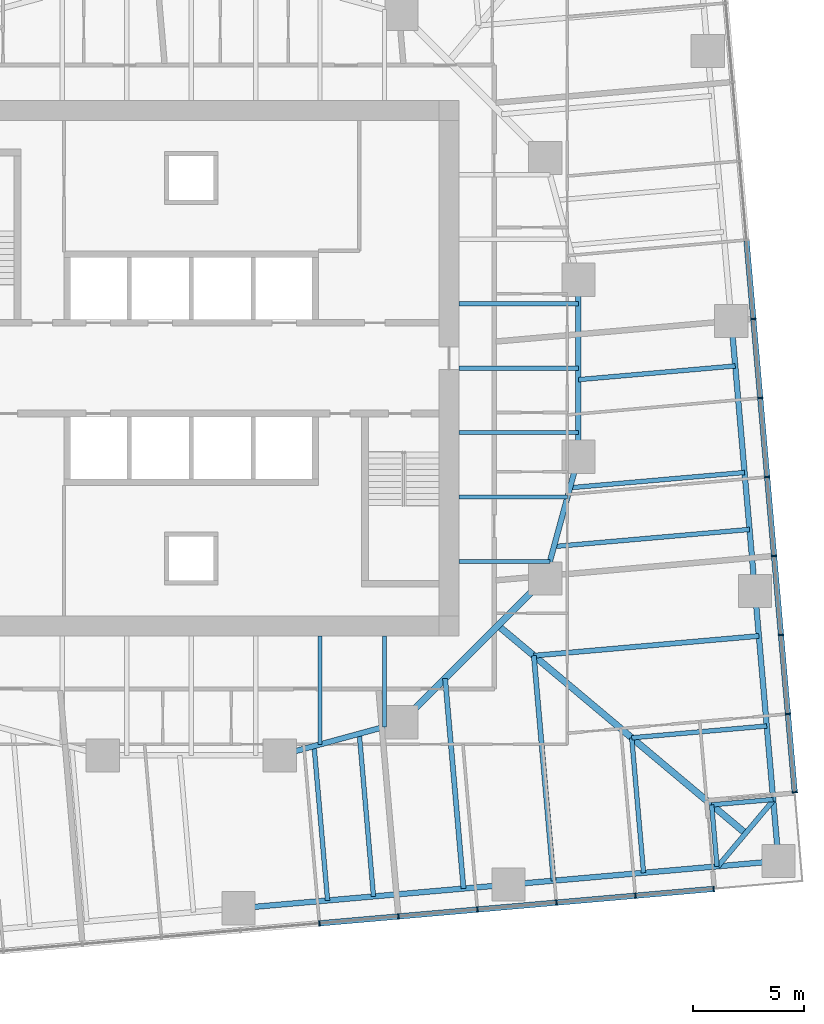
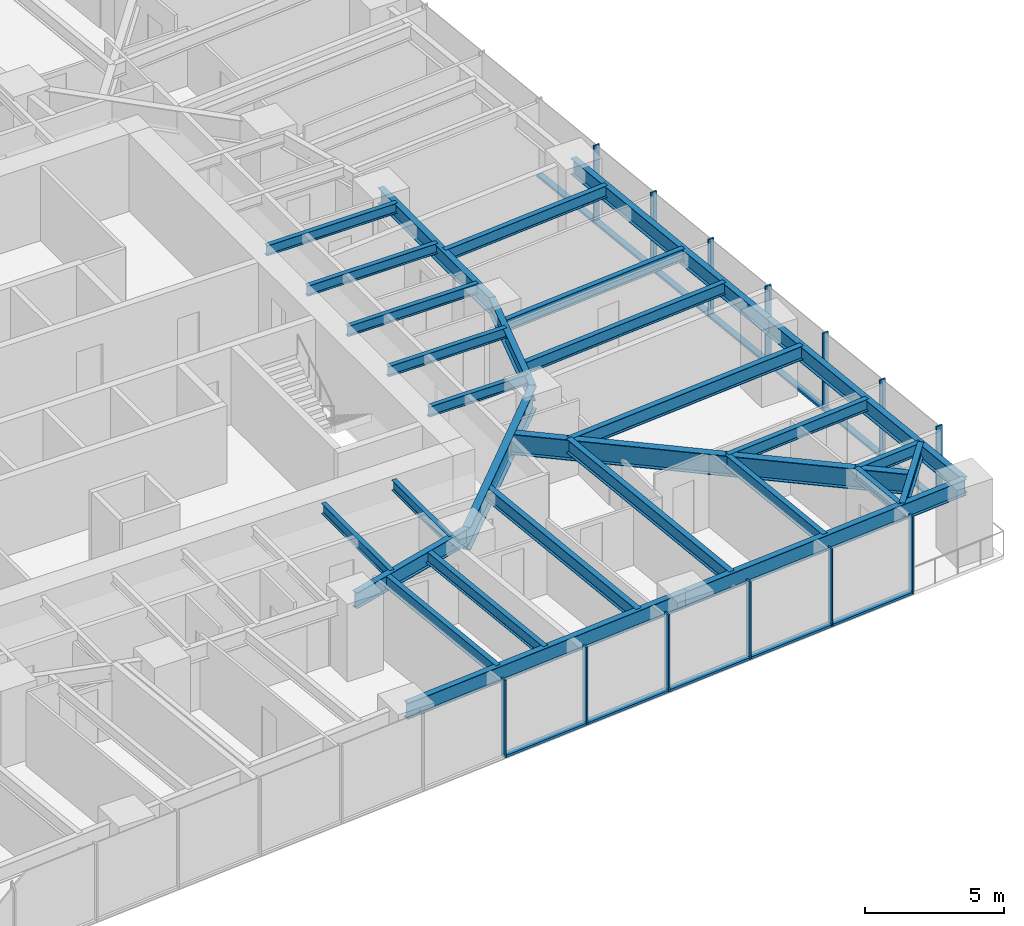
# One storey, part 4 of 14: 29 beams, 25 members, 2 elements without a shape of their own.
"""IFC4 building model written with IfcOpenShell, lengths in metres."""

import ifcopenshell
import ifcopenshell.guid

model = None  # the IFC model being written
_history = None  # IfcOwnerHistory: only IFC2X3 demands one
_inside = {}  # id of a spatial element -> (the spatial element, [elements in it])
_under = {}  # id of a project, library or spatial element -> (it, [spatial elements below it])
_declared = {}  # id of a project -> (the project, [libraries it declares])
_typed = {}  # id of a type object -> (the type object, [elements of that type])
_made_of = {}  # id of a material, layer set ... -> (it, [elements and type objects made of it])


def new_model(schema):
    """Start an empty IFC model of exactly this schema.

    Asked for "IFC4X3", IfcOpenShell would pick the latest addendum, in which some entities
    have other attributes; the version numbers below select the first issue.
    IFC2X3 requires an IfcOwnerHistory on every rooted entity: one is made here for all.
    """
    global model, _history
    if schema == "IFC4X3":
        model = ifcopenshell.file(schema_version=(4, 3, 0, 0))
    else:
        model = ifcopenshell.file(schema=schema)
    _inside.clear()
    _under.clear()
    _declared.clear()
    _typed.clear()
    _made_of.clear()
    _history = None
    if model.schema == "IFC2X3":
        org = make("IfcOrganization", Name="unknown")
        user = make(
            "IfcPersonAndOrganization",
            ThePerson=make("IfcPerson", FamilyName="unknown"),
            TheOrganization=org,
        )
        app = make(
            "IfcApplication",
            ApplicationDeveloper=org,
            Version="unknown",
            ApplicationFullName="unknown",
            ApplicationIdentifier="unknown",
        )
        _history = make(
            "IfcOwnerHistory",
            OwningUser=user,
            OwningApplication=app,
            ChangeAction="ADDED",
            CreationDate=0,
        )
    return model


def make(cls, **values):
    """One entity of the class cls with the attributes given. An attribute that is None is left unset."""
    return model.create_entity(
        cls, **{name: value for name, value in values.items() if value is not None}
    )


def rooted(cls, **values):
    """An entity with a GlobalId (a new one), such as an element, a storey or a relation."""
    return make(cls, GlobalId=ifcopenshell.guid.new(), OwnerHistory=_history, **values)


def si_unit(unit_type, name, prefix=None):
    """IfcSIUnit, for example si_unit("LENGTHUNIT", "METRE", prefix="MILLI")."""
    return make("IfcSIUnit", UnitType=unit_type, Prefix=prefix, Name=name)


def assignment(units):
    """IfcUnitAssignment: the units of a project."""
    return None if units is None else make("IfcUnitAssignment", Units=units)


def point(xyz):
    """IfcCartesianPoint."""
    return None if xyz is None else make("IfcCartesianPoint", Coordinates=xyz)


def direction(xyz):
    """IfcDirection."""
    return None if xyz is None else make("IfcDirection", DirectionRatios=xyz)


def frame(location, z_axis=None, x_axis=None):
    """IfcAxis2Placement3D, a coordinate frame: its origin and axes. An axis left out is left unset."""
    return make(
        "IfcAxis2Placement3D",
        Location=point(location),
        Axis=direction(z_axis),
        RefDirection=direction(x_axis),
    )


def frame_2d(location, x_axis=None):
    """IfcAxis2Placement2D, a coordinate frame in the plane: its origin and x axis."""
    return make(
        "IfcAxis2Placement2D", Location=point(location), RefDirection=direction(x_axis)
    )


def origin():
    """The frame at (0, 0, 0) with its axes left unset."""
    return frame((0.0, 0.0, 0.0))


def origin_2d():
    """The frame at (0, 0) in the plane with its x axis left unset."""
    return frame_2d((0.0, 0.0))


def place(relative_to, where):
    """IfcLocalPlacement: puts the frame where relative to a parent placement (None: the world)."""
    return make(
        "IfcLocalPlacement", PlacementRelTo=relative_to, RelativePlacement=where
    )


def context(
    kind, dimensions, precision=None, world=None, true_north=None, identifier=None
):
    """IfcGeometricRepresentationContext, for example the 3D "Model" context."""
    return make(
        "IfcGeometricRepresentationContext",
        ContextIdentifier=identifier,
        ContextType=kind,
        CoordinateSpaceDimension=dimensions,
        Precision=precision,
        WorldCoordinateSystem=world,
        TrueNorth=true_north,
    )


def subcontext(parent, identifier, kind, view, scale=None):
    """IfcGeometricRepresentationSubContext, for example "Body" below "Model"."""
    return make(
        "IfcGeometricRepresentationSubContext",
        ContextIdentifier=identifier,
        ContextType=kind,
        ParentContext=parent,
        TargetScale=scale,
        TargetView=view,
    )


def project(units=None, contexts=None):
    """IfcProject with its units and contexts."""
    return rooted(
        "IfcProject",
        Name="project",
        RepresentationContexts=contexts,
        UnitsInContext=assignment(units),
    )


def spatial(cls, under=None, at=None, **own):
    """A site, building, storey or space (cls), placed at a placement, below another one or the project."""
    s = rooted(cls, ObjectPlacement=at, **own)
    if under is not None:
        _under.setdefault(under.id(), (under, []))[1].append(s)
    return s


def profile(cls, at=None, kind="AREA", **sizes):
    """A parametric profile (cls). Its sizes go by their IFC names, for example OverallWidth=200.0."""
    return make(cls, ProfileType=kind, Position=at, **sizes)


def rectangle(**sizes):
    """IfcRectangleProfileDef."""
    return profile("IfcRectangleProfileDef", **sizes)


def i_section(**sizes):
    """IfcIShapeProfileDef."""
    return profile("IfcIShapeProfileDef", **sizes)


def extrude(swept, where, along, depth):
    """IfcExtrudedAreaSolid: the profile swept, set in the frame where, extruded along a direction by depth."""
    return make(
        "IfcExtrudedAreaSolid",
        SweptArea=swept,
        Position=where,
        ExtrudedDirection=direction(along),
        Depth=depth,
    )


def shape(context_of_items, identifier, shape_type, items):
    """IfcShapeRepresentation: the items that make up one representation, for example the "Body"."""
    return make(
        "IfcShapeRepresentation",
        ContextOfItems=context_of_items,
        RepresentationIdentifier=identifier,
        RepresentationType=shape_type,
        Items=items,
    )


def material(Name=None, Category=None):
    """IfcMaterial."""
    return make("IfcMaterial", Name=Name, Category=Category)


def material_profile(
    of_material, cross_section, Name=None, Category=None, Priority=None
):
    """IfcMaterialProfile: a cross section and its material."""
    return make(
        "IfcMaterialProfile",
        Name=Name,
        Material=of_material,
        Profile=cross_section,
        Priority=Priority,
        Category=Category,
    )


def profile_set(profiles, Name=None, composite=None):
    """IfcMaterialProfileSet."""
    return make(
        "IfcMaterialProfileSet",
        Name=Name,
        MaterialProfiles=profiles,
        CompositeProfile=composite,
    )


def made_of(thing, what):
    """Note that an element or type object is made of a material, layer set ...; save() writes the relation."""
    if what is not None:
        _made_of.setdefault(what.id(), (what, []))[1].append(thing)
    return thing


def type_object(cls, material=None, **own):
    """A type object (cls), such as IfcWallType, which elements share."""
    return made_of(rooted(cls, **own), material)


def element(
    cls,
    number,
    at=None,
    inside=None,
    cuts=None,
    type_object=None,
    material=None,
    context=None,
    identifier="Body",
    shape_type=None,
    held_by="IfcProductDefinitionShape",
    body=None,
    shapes=None,
    **own,
):
    """One element of the class cls, such as IfcWall. Its Tag is "e" and its number.

    at: its placement. inside: the storey or other place that contains it. cuts: it is an
    opening in that element (IfcRelVoidsElement). A single representation is given by context,
    identifier, shape_type and body (its items); several are given by shapes. held_by: the class
    of the entity that holds the representations. save() writes the other relations.
    """
    e = rooted(cls, Tag="e%d" % number, ObjectPlacement=at, **own)
    if body is not None:
        shapes = [shape(context, identifier, shape_type, body)]
    if shapes is not None:
        e.Representation = make(held_by, Representations=shapes)
    if inside is not None:
        _inside.setdefault(inside.id(), (inside, []))[1].append(e)
    if cuts is not None:
        rooted(
            "IfcRelVoidsElement", RelatingBuildingElement=cuts, RelatedOpeningElement=e
        )
    if type_object is not None:
        _typed.setdefault(type_object.id(), (type_object, []))[1].append(e)
    return made_of(e, material)


def aggregate(whole, parts):
    """IfcRelAggregates: a whole, such as a stair, and the parts it consists of."""
    return rooted("IfcRelAggregates", RelatingObject=whole, RelatedObjects=parts)


def save(model, path):
    """Write the relations noted so far, then the file.

    IfcRelAggregates (storeys below a building ...), IfcRelContainedInSpatialStructure (elements
    in a storey), IfcRelDefinesByType, IfcRelAssociatesMaterial and IfcRelDeclares: one each for
    every whole, place, type object, material and project.
    """
    for whole, parts in _under.values():
        aggregate(whole, parts)
    for where, things in _inside.values():
        rooted(
            "IfcRelContainedInSpatialStructure",
            RelatedElements=things,
            RelatingStructure=where,
        )
    for kind, things in _typed.values():
        rooted("IfcRelDefinesByType", RelatedObjects=things, RelatingType=kind)
    for what, things in _made_of.values():
        rooted("IfcRelAssociatesMaterial", RelatedObjects=things, RelatingMaterial=what)
    for by, libraries in _declared.values():
        rooted("IfcRelDeclares", RelatingContext=by, RelatedDefinitions=libraries)
    model.write(path)


model = new_model("IFC4")

# Units and contexts
model_context = context("Model", 3, precision=1e-05, world=origin(), true_north=direction((0.0, 1.0)))
body_context = subcontext(model_context, "Body", "Model", "MODEL_VIEW")
ifc_project = project(units=[si_unit("LENGTHUNIT", "METRE"), si_unit("AREAUNIT", "SQUARE_METRE"), si_unit("VOLUMEUNIT", "CUBIC_METRE"), si_unit("PLANEANGLEUNIT", "RADIAN"), si_unit("MASSUNIT", "GRAM", prefix="KILO")], contexts=[model_context])

# Site, building, storey
site_placement = place(None, origin())
site = spatial("IfcSite", under=ifc_project, at=site_placement, CompositionType="ELEMENT")
building_placement = place(site_placement, origin())
building = spatial("IfcBuilding", under=site, at=building_placement, Name="Torsade Residences", CompositionType="ELEMENT")
storey_placement = place(building_placement, frame((0.0, 0.0, 50.60009765625)))
storey = spatial("IfcBuildingStorey", under=building, at=storey_placement, Name="L13", CompositionType="ELEMENT", Elevation=50.60009765625)

# Beams
ifc_material_1 = material(Name="Steel grade 300", Category="steel")
ifc_material_profile_1 = material_profile(ifc_material_1, i_section(OverallWidth=0.300048828125, OverallDepth=0.89990234375, WebThickness=0.011962890625, FlangeThickness=0.02490234375, at=origin_2d()), Name="900WB175")
ifc_profile_set_1 = profile_set([ifc_material_profile_1], Name="Steel grade 300")
beam_type_1 = type_object("IfcBeamType", Name="CORNER GIRDER 900WB175", PredefinedType="BEAM", material=ifc_profile_set_1)
beam_1_placement = place(storey_placement, frame((65.052490234375, 8.978515625, 2.7998046875), z_axis=(-0.766046281307, 0.642785419012, 0.0), x_axis=(-0.642785419012, -0.766046281307, 0.0)))
element("IfcBeam", 1, at=beam_1_placement, inside=storey, type_object=beam_type_1, Name="Corner girder 05 L14", PredefinedType="BEAM", context=body_context, shape_type="SweptSolid", body=[
    extrude(i_section(OverallWidth=0.300048828125, OverallDepth=0.89990234375, WebThickness=0.011962890625, FlangeThickness=0.02490234375, at=origin_2d()), origin(), (0.0, 0.0, 1.0), 14.603515625),
])
ifc_material_2 = material(Name="Steel grade 300", Category="steel")
ifc_material_profile_2 = material_profile(ifc_material_2, i_section(OverallWidth=0.22802734375, OverallDepth=0.60205078125, WebThickness=0.010498046875, FlangeThickness=0.014892578125, FilletRadius=0.013916015625, at=origin_2d()), Name="610UB101")
ifc_profile_set_2 = profile_set([ifc_material_profile_2], Name="Steel grade 300")
beam_type_2 = type_object("IfcBeamType", Name="CORNER TRIMMER 610UB101", PredefinedType="BEAM", material=ifc_profile_set_2)
beam_2_placement = place(storey_placement, frame((66.302490234375, 10.468017578125, 2.948974609375), z_axis=(-0.642804819911, -0.766030001697, 0.0), x_axis=(0.766030001697, -0.642804819911, 0.0)))
element("IfcBeam", 2, at=beam_2_placement, inside=storey, type_object=beam_type_2, Name="Corner trimmer 05 L14", PredefinedType="BEAM", context=body_context, shape_type="SweptSolid", body=[
    extrude(i_section(OverallWidth=0.22802734375, OverallDepth=0.60205078125, WebThickness=0.010498046875, FlangeThickness=0.014892578125, FilletRadius=0.013916015625, at=origin_2d()), origin(), (0.0, 0.0, 1.0), 3.88916015625),
])

# Curtain wall, members
ifc_material_3 = material(Name="Aluminium and glass", Category="aluminium")
curtain_wall_type = type_object("IfcCurtainWallType", Name="FRITTED GLASS CURTAIN WALL LOW ZONE", PredefinedType="NOTDEFINED", material=ifc_material_3)
curtain_wall_1_placement = place(storey_placement, origin())
curtain_wall_1 = element("IfcCurtainWall", 3, at=curtain_wall_1_placement, inside=storey, type_object=curtain_wall_type, Name="Curtain wall L13 face 1", PredefinedType="NOTDEFINED")
ifc_material_4 = material(Name="Aluminium mullion", Category="aluminium")
ifc_material_profile_3 = material_profile(ifc_material_4, rectangle(XDim=0.25, YDim=0.06494140625, at=origin_2d()), Name="CURTAIN WALL MULLION 250x65")
ifc_profile_set_3 = profile_set([ifc_material_profile_3], Name="Aluminium mullion")
member_type_1 = type_object("IfcMemberType", Name="CURTAIN WALL MULLION 250x65", PredefinedType="MULLION", material=ifc_profile_set_3)
member_1_placement = place(storey_placement, frame((45.792236328125, 4.909423828125, 0.0), z_axis=(0.0, 0.0, 1.0), x_axis=(-0.087155744208, 0.996194697964, 0.0)))
member_1 = element("IfcMember", 4, at=member_1_placement, type_object=member_type_1, Name="Mullion 8", PredefinedType="MULLION", context=body_context, shape_type="SweptSolid", body=[
    extrude(rectangle(XDim=0.25, YDim=0.06494140625, at=origin_2d()), origin(), (0.0, 0.0, 1.0), 3.39990234375),
])
member_2_placement = place(storey_placement, frame((49.36181640625, 5.2216796875, 0.0), z_axis=(0.0, 0.0, 1.0), x_axis=(-0.087155744208, 0.996194697964, 0.0)))
member_2 = element("IfcMember", 5, at=member_2_placement, type_object=member_type_1, Name="Mullion 9", PredefinedType="MULLION", context=body_context, shape_type="SweptSolid", body=[
    extrude(rectangle(XDim=0.25, YDim=0.06494140625, at=origin_2d()), origin(), (0.0, 0.0, 1.0), 3.39990234375),
])
member_3_placement = place(storey_placement, frame((52.931640625, 5.533935546875, 0.0), z_axis=(0.0, 0.0, 1.0), x_axis=(-0.087155744208, 0.996194697964, 0.0)))
member_3 = element("IfcMember", 6, at=member_3_placement, type_object=member_type_1, Name="Mullion 10", PredefinedType="MULLION", context=body_context, shape_type="SweptSolid", body=[
    extrude(rectangle(XDim=0.25, YDim=0.06494140625, at=origin_2d()), origin(), (0.0, 0.0, 1.0), 3.39990234375),
])
member_4_placement = place(storey_placement, frame((56.501220703125, 5.84619140625, 0.0), z_axis=(0.0, 0.0, 1.0), x_axis=(-0.087155744208, 0.996194697964, 0.0)))
member_4 = element("IfcMember", 7, at=member_4_placement, type_object=member_type_1, Name="Mullion 11", PredefinedType="MULLION", context=body_context, shape_type="SweptSolid", body=[
    extrude(rectangle(XDim=0.25, YDim=0.06494140625, at=origin_2d()), origin(), (0.0, 0.0, 1.0), 3.39990234375),
])
member_5_placement = place(storey_placement, frame((60.071044921875, 6.15869140625, 0.0), z_axis=(0.0, 0.0, 1.0), x_axis=(-0.087155744208, 0.996194697964, 0.0)))
member_5 = element("IfcMember", 8, at=member_5_placement, type_object=member_type_1, Name="Mullion 12", PredefinedType="MULLION", context=body_context, shape_type="SweptSolid", body=[
    extrude(rectangle(XDim=0.25, YDim=0.06494140625, at=origin_2d()), origin(), (0.0, 0.0, 1.0), 3.39990234375),
])
member_6_placement = place(storey_placement, frame((63.6083984375, 6.468017578125, 0.0), z_axis=(0.0, 0.0, 1.0), x_axis=(-0.087155744208, 0.996194697964, 0.0)))
member_6 = element("IfcMember", 9, at=member_6_placement, type_object=member_type_1, Name="Mullion 13", PredefinedType="MULLION", context=body_context, shape_type="SweptSolid", body=[
    extrude(rectangle(XDim=0.25, YDim=0.06494140625, at=origin_2d()), origin(), (0.0, 0.0, 1.0), 3.39990234375),
])

curtain_wall_2_placement = place(storey_placement, origin())
curtain_wall_2 = element("IfcCurtainWall", 10, at=curtain_wall_2_placement, inside=storey, type_object=curtain_wall_type, Name="Curtain wall L13 face 4", PredefinedType="NOTDEFINED")
member_7_placement = place(storey_placement, frame((67.27392578125, 10.836669921875, 0.0), z_axis=(0.0, 0.0, 1.0), x_axis=(-0.996194697964, -0.087155744208, 0.0)))
member_7 = element("IfcMember", 11, at=member_7_placement, type_object=member_type_1, Name="Mullion 1", PredefinedType="MULLION", context=body_context, shape_type="SweptSolid", body=[
    extrude(rectangle(XDim=0.25, YDim=0.06494140625, at=origin_2d()), origin(), (0.0, 0.0, 1.0), 3.39990234375),
])
member_8_placement = place(storey_placement, frame((66.964599609375, 14.3740234375, 0.0), z_axis=(0.0, 0.0, 1.0), x_axis=(-0.996194697964, -0.087155744208, 0.0)))
member_8 = element("IfcMember", 12, at=member_8_placement, type_object=member_type_1, Name="Mullion 2", PredefinedType="MULLION", context=body_context, shape_type="SweptSolid", body=[
    extrude(rectangle(XDim=0.25, YDim=0.06494140625, at=origin_2d()), origin(), (0.0, 0.0, 1.0), 3.39990234375),
])
member_9_placement = place(storey_placement, frame((66.652099609375, 17.943603515625, 0.0), z_axis=(0.0, 0.0, 1.0), x_axis=(-0.996194697964, -0.087155744208, 0.0)))
member_9 = element("IfcMember", 13, at=member_9_placement, type_object=member_type_1, Name="Mullion 3", PredefinedType="MULLION", context=body_context, shape_type="SweptSolid", body=[
    extrude(rectangle(XDim=0.25, YDim=0.06494140625, at=origin_2d()), origin(), (0.0, 0.0, 1.0), 3.39990234375),
])
member_10_placement = place(storey_placement, frame((66.33984375, 21.513427734375, 0.0), z_axis=(0.0, 0.0, 1.0), x_axis=(-0.996194697964, -0.087155744208, 0.0)))
member_10 = element("IfcMember", 14, at=member_10_placement, type_object=member_type_1, Name="Mullion 4", PredefinedType="MULLION", context=body_context, shape_type="SweptSolid", body=[
    extrude(rectangle(XDim=0.25, YDim=0.06494140625, at=origin_2d()), origin(), (0.0, 0.0, 1.0), 3.39990234375),
])
member_11_placement = place(storey_placement, frame((66.027587890625, 25.0830078125, 0.0), z_axis=(0.0, 0.0, 1.0), x_axis=(-0.996194697964, -0.087155744208, 0.0)))
member_11 = element("IfcMember", 15, at=member_11_placement, type_object=member_type_1, Name="Mullion 5", PredefinedType="MULLION", context=body_context, shape_type="SweptSolid", body=[
    extrude(rectangle(XDim=0.25, YDim=0.06494140625, at=origin_2d()), origin(), (0.0, 0.0, 1.0), 3.39990234375),
])
member_12_placement = place(storey_placement, frame((65.71533203125, 28.65283203125, 0.0), z_axis=(0.0, 0.0, 1.0), x_axis=(-0.996194697964, -0.087155744208, 0.0)))
member_12 = element("IfcMember", 16, at=member_12_placement, type_object=member_type_1, Name="Mullion 6", PredefinedType="MULLION", context=body_context, shape_type="SweptSolid", body=[
    extrude(rectangle(XDim=0.25, YDim=0.06494140625, at=origin_2d()), origin(), (0.0, 0.0, 1.0), 3.39990234375),
])
member_13_placement = place(storey_placement, frame((65.403076171875, 32.222412109375, 0.0), z_axis=(0.0, 0.0, 1.0), x_axis=(-0.996194697964, -0.087155744208, 0.0)))
member_13 = element("IfcMember", 17, at=member_13_placement, type_object=member_type_1, Name="Mullion 7", PredefinedType="MULLION", context=body_context, shape_type="SweptSolid", body=[
    extrude(rectangle(XDim=0.25, YDim=0.06494140625, at=origin_2d()), origin(), (0.0, 0.0, 1.0), 3.39990234375),
])

# Member
ifc_material_5 = material(Name="Aluminium transom", Category="aluminium")
ifc_material_profile_4 = material_profile(ifc_material_5, rectangle(XDim=0.25, YDim=0.10009765625, at=origin_2d()), Name="CURTAIN WALL TRANSOM 250x100")
ifc_profile_set_4 = profile_set([ifc_material_profile_4], Name="Aluminium transom")
member_type_2 = type_object("IfcMemberType", Name="CURTAIN WALL TRANSOM 250x100", PredefinedType="USERDEFINED", material=ifc_profile_set_4)
member_14_placement = place(storey_placement, frame((45.824462890625, 4.912109375, 0.0498046875), z_axis=(0.996195148363, 0.08715059597, 0.0), x_axis=(-0.08715059597, 0.996195148363, 0.0)))
member_14 = element("IfcMember", 18, at=member_14_placement, type_object=member_type_2, Name="Transom 8.1", ObjectType="TRANSOM", PredefinedType="USERDEFINED", context=body_context, shape_type="SweptSolid", body=[
    extrude(rectangle(XDim=0.25, YDim=0.10009765625, at=origin_2d()), origin(), (0.0, 0.0, 1.0), 3.5185546875),
])

member_15_placement = place(storey_placement, frame((49.394287109375, 5.224365234375, 0.0498046875), z_axis=(0.996194621295, 0.087156620531, 0.0), x_axis=(-0.087156620531, 0.996194621295, 0.0)))
member_15 = element("IfcMember", 19, at=member_15_placement, type_object=member_type_2, Name="Transom 9.1", ObjectType="TRANSOM", PredefinedType="USERDEFINED", context=body_context, shape_type="SweptSolid", body=[
    extrude(rectangle(XDim=0.25, YDim=0.10009765625, at=origin_2d()), origin(), (0.0, 0.0, 1.0), 3.518310546875),
])

member_16_placement = place(storey_placement, frame((52.9638671875, 5.536865234375, 0.0498046875), z_axis=(0.996195148363, 0.08715059597, 0.0), x_axis=(-0.08715059597, 0.996195148363, 0.0)))
member_16 = element("IfcMember", 20, at=member_16_placement, type_object=member_type_2, Name="Transom 10.1", ObjectType="TRANSOM", PredefinedType="USERDEFINED", context=body_context, shape_type="SweptSolid", body=[
    extrude(rectangle(XDim=0.25, YDim=0.10009765625, at=origin_2d()), origin(), (0.0, 0.0, 1.0), 3.5185546875),
])

member_17_placement = place(storey_placement, frame((56.53369140625, 5.84912109375, 0.0498046875), z_axis=(0.996194621295, 0.087156620531, 0.0), x_axis=(-0.087156620531, 0.996194621295, 0.0)))
member_17 = element("IfcMember", 21, at=member_17_placement, type_object=member_type_2, Name="Transom 11.1", ObjectType="TRANSOM", PredefinedType="USERDEFINED", context=body_context, shape_type="SweptSolid", body=[
    extrude(rectangle(XDim=0.25, YDim=0.10009765625, at=origin_2d()), origin(), (0.0, 0.0, 1.0), 3.518310546875),
])

member_18_placement = place(storey_placement, frame((60.103271484375, 6.161376953125, 0.0498046875), z_axis=(0.996191284475, 0.08719475177, 0.0), x_axis=(-0.08719475177, 0.996191284475, 0.0)))
member_18 = element("IfcMember", 22, at=member_18_placement, type_object=member_type_2, Name="Transom 12.1", ObjectType="TRANSOM", PredefinedType="USERDEFINED", context=body_context, shape_type="SweptSolid", body=[
    extrude(rectangle(XDim=0.25, YDim=0.10009765625, at=origin_2d()), origin(), (0.0, 0.0, 1.0), 3.48583984375),
])

aggregate(curtain_wall_1, [member_1, member_2, member_3, member_4, member_5, member_6, member_14, member_15, member_16, member_17, member_18])

member_19_placement = place(storey_placement, frame((67.271240234375, 10.869140625, 0.0498046875), z_axis=(-0.0872008357, 0.996190751941, 0.0), x_axis=(-0.996190751941, -0.0872008357, 0.0)))
member_19 = element("IfcMember", 23, at=member_19_placement, type_object=member_type_2, Name="Transom 1.1", ObjectType="TRANSOM", PredefinedType="USERDEFINED", context=body_context, shape_type="SweptSolid", body=[
    extrude(rectangle(XDim=0.25, YDim=0.10009765625, at=origin_2d()), origin(), (0.0, 0.0, 1.0), 3.485595703125),
])

member_20_placement = place(storey_placement, frame((66.961669921875, 14.40625, 0.0498046875), z_axis=(-0.08715059597, 0.996195148363, 0.0), x_axis=(-0.996195148363, -0.08715059597, 0.0)))
member_20 = element("IfcMember", 24, at=member_20_placement, type_object=member_type_2, Name="Transom 2.1", ObjectType="TRANSOM", PredefinedType="USERDEFINED", context=body_context, shape_type="SweptSolid", body=[
    extrude(rectangle(XDim=0.25, YDim=0.10009765625, at=origin_2d()), origin(), (0.0, 0.0, 1.0), 3.5185546875),
])

member_21_placement = place(storey_placement, frame((66.6494140625, 17.97607421875, 0.0498046875), z_axis=(-0.087156620531, 0.996194621295, 0.0), x_axis=(-0.996194621295, -0.087156620531, 0.0)))
member_21 = element("IfcMember", 25, at=member_21_placement, type_object=member_type_2, Name="Transom 3.1", ObjectType="TRANSOM", PredefinedType="USERDEFINED", context=body_context, shape_type="SweptSolid", body=[
    extrude(rectangle(XDim=0.25, YDim=0.10009765625, at=origin_2d()), origin(), (0.0, 0.0, 1.0), 3.518310546875),
])

member_22_placement = place(storey_placement, frame((66.337158203125, 21.545654296875, 0.0498046875), z_axis=(-0.08715059597, 0.996195148363, 0.0), x_axis=(-0.996195148363, -0.08715059597, 0.0)))
member_22 = element("IfcMember", 26, at=member_22_placement, type_object=member_type_2, Name="Transom 4.1", ObjectType="TRANSOM", PredefinedType="USERDEFINED", context=body_context, shape_type="SweptSolid", body=[
    extrude(rectangle(XDim=0.25, YDim=0.10009765625, at=origin_2d()), origin(), (0.0, 0.0, 1.0), 3.5185546875),
])

member_23_placement = place(storey_placement, frame((66.024658203125, 25.115478515625, 0.0498046875), z_axis=(-0.087156620531, 0.996194621295, 0.0), x_axis=(-0.996194621295, -0.087156620531, 0.0)))
member_23 = element("IfcMember", 27, at=member_23_placement, type_object=member_type_2, Name="Transom 5.1", ObjectType="TRANSOM", PredefinedType="USERDEFINED", context=body_context, shape_type="SweptSolid", body=[
    extrude(rectangle(XDim=0.25, YDim=0.10009765625, at=origin_2d()), origin(), (0.0, 0.0, 1.0), 3.518310546875),
])

member_24_placement = place(storey_placement, frame((65.71240234375, 28.68505859375, 0.0498046875), z_axis=(-0.08715059597, 0.996195148363, 0.0), x_axis=(-0.996195148363, -0.08715059597, 0.0)))
member_24 = element("IfcMember", 28, at=member_24_placement, type_object=member_type_2, Name="Transom 6.1", ObjectType="TRANSOM", PredefinedType="USERDEFINED", context=body_context, shape_type="SweptSolid", body=[
    extrude(rectangle(XDim=0.25, YDim=0.10009765625, at=origin_2d()), origin(), (0.0, 0.0, 1.0), 3.5185546875),
])

member_25_placement = place(storey_placement, frame((65.400146484375, 32.2548828125, 0.0498046875), z_axis=(-0.087156620531, 0.996194621295, 0.0), x_axis=(-0.996194621295, -0.087156620531, 0.0)))
member_25 = element("IfcMember", 29, at=member_25_placement, type_object=member_type_2, Name="Transom 7.1", ObjectType="TRANSOM", PredefinedType="USERDEFINED", context=body_context, shape_type="SweptSolid", body=[
    extrude(rectangle(XDim=0.25, YDim=0.10009765625, at=origin_2d()), origin(), (0.0, 0.0, 1.0), 3.518310546875),
])

aggregate(curtain_wall_2, [member_7, member_8, member_9, member_10, member_11, member_12, member_13, member_19, member_20, member_21, member_22, member_23, member_24, member_25])

# Beams
ifc_material_6 = material(Name="Steel grade 300", Category="steel")
ifc_material_profile_5 = material_profile(ifc_material_6, i_section(OverallWidth=0.25, OverallDepth=0.699951171875, WebThickness=0.010009765625, FlangeThickness=0.02001953125, at=origin_2d()), Name="700WB130")
ifc_profile_set_5 = profile_set([ifc_material_profile_5], Name="Steel grade 300")
beam_type_3 = type_object("IfcBeamType", Name="EDGE BEAM 700WB130", PredefinedType="SPANDREL", material=ifc_profile_set_5)
for number, where, z_axis, x_axis, name in (
    (30, (42.13525390625, 5.59326171875, 2.89990234375), (0.996194907201, 0.08715335259, 0.0), (-0.08715335259, 0.996194907201, 0.0), "Edge beam 03 L14"),
    (31, (54.338623046875, 6.660888671875, 2.89990234375), (0.996194907201, 0.08715335259, 0.0), (-0.08715335259, 0.996194907201, 0.0), "Edge beam 04 L14"),
    (32, (66.5419921875, 7.728515625, 2.89990234375), (-0.08715335259, 0.996194907201, 0.0), (-0.996194907201, -0.08715335259, 0.0), "Edge beam 05 L14"),
    (33, (65.474365234375, 19.931884765625, 2.89990234375), (-0.08715335259, 0.996194907201, 0.0), (-0.996194907201, -0.08715335259, 0.0), "Edge beam 06 L14"),
):
    element("IfcBeam", number, at=place(storey_placement, frame(where, z_axis=z_axis, x_axis=x_axis)), inside=storey, type_object=beam_type_3, Name=name, PredefinedType="SPANDREL", context=body_context, shape_type="SweptSolid", body=[
        extrude(i_section(OverallWidth=0.25, OverallDepth=0.699951171875, WebThickness=0.010009765625, FlangeThickness=0.02001953125, at=origin_2d()), origin(), (0.0, 0.0, 1.0), 12.25),
    ])
ifc_material_7 = material(Name="Steel grade 300", Category="steel")
ifc_material_profile_6 = material_profile(ifc_material_7, i_section(OverallWidth=0.18994140625, OverallDepth=0.4541015625, WebThickness=0.008544921875, FlangeThickness=0.0126953125, FilletRadius=0.011474609375, at=origin_2d()), Name="460UB67.1")
ifc_profile_set_6 = profile_set([ifc_material_profile_6], Name="Steel grade 300")
beam_type_4 = type_object("IfcBeamType", Name="INNER FLOOR BEAM 460UB67.1", PredefinedType="JOIST", material=ifc_profile_set_6)
beam_3_placement = place(storey_placement, frame((48.737548828125, 17.89990234375, 3.02294921875), z_axis=(0.0, -1.0, 0.0), x_axis=(1.0, 0.0, 0.0)))
element("IfcBeam", 34, at=beam_3_placement, inside=storey, type_object=beam_type_4, Name="Inner floor beam IS01 L14", PredefinedType="JOIST", context=body_context, shape_type="SweptSolid", body=[
    extrude(i_section(OverallWidth=0.18994140625, OverallDepth=0.4541015625, WebThickness=0.008544921875, FlangeThickness=0.0126953125, FilletRadius=0.011474609375, at=origin_2d()), origin(), (0.0, 0.0, 1.0), 4.10791015625),
])
beam_4_placement = place(storey_placement, frame((45.824951171875, 17.89990234375, 3.02294921875), z_axis=(0.0, -1.0, 0.0), x_axis=(1.0, 0.0, 0.0)))
element("IfcBeam", 35, at=beam_4_placement, inside=storey, type_object=beam_type_4, Name="Inner floor beam IS02 L14", PredefinedType="JOIST", context=body_context, shape_type="SweptSolid", body=[
    extrude(i_section(OverallWidth=0.18994140625, OverallDepth=0.4541015625, WebThickness=0.008544921875, FlangeThickness=0.0126953125, FilletRadius=0.011474609375, at=origin_2d()), origin(), (0.0, 0.0, 1.0), 4.902099609375),
])
beam_5_placement = place(storey_placement, frame((52.10009765625, 21.262451171875, 3.02294921875), z_axis=(1.0, 0.0, 0.0), x_axis=(0.0, 1.0, 0.0)))
element("IfcBeam", 36, at=beam_5_placement, inside=storey, type_object=beam_type_4, Name="Inner floor beam IE01 L14", PredefinedType="JOIST", context=body_context, shape_type="SweptSolid", body=[
    extrude(i_section(OverallWidth=0.18994140625, OverallDepth=0.4541015625, WebThickness=0.008544921875, FlangeThickness=0.0126953125, FilletRadius=0.011474609375, at=origin_2d()), origin(), (0.0, 0.0, 1.0), 4.10791015625),
])
beam_6_placement = place(storey_placement, frame((52.10009765625, 24.175048828125, 3.02294921875), z_axis=(1.0, 0.0, 0.0), x_axis=(0.0, 1.0, 0.0)))
element("IfcBeam", 37, at=beam_6_placement, inside=storey, type_object=beam_type_4, Name="Inner floor beam IE02 L14", PredefinedType="JOIST", context=body_context, shape_type="SweptSolid", body=[
    extrude(i_section(OverallWidth=0.18994140625, OverallDepth=0.4541015625, WebThickness=0.008544921875, FlangeThickness=0.0126953125, FilletRadius=0.011474609375, at=origin_2d()), origin(), (0.0, 0.0, 1.0), 4.902099609375),
])
for number, where, z_axis, x_axis, name in (
    (38, (52.10009765625, 27.08740234375, 3.02294921875), (1.0, 0.0, 0.0), (0.0, 1.0, 0.0), "Inner floor beam IE03 L14"),
    (39, (52.10009765625, 30.0, 3.02294921875), (1.0, 0.0, 0.0), (0.0, 1.0, 0.0), "Inner floor beam IE04 L14"),
    (40, (52.10009765625, 32.91259765625, 3.02294921875), (1.0, 0.0, 0.0), (0.0, 1.0, 0.0), "Inner floor beam IE05 L14"),
):
    element("IfcBeam", number, at=place(storey_placement, frame(where, z_axis=z_axis, x_axis=x_axis)), inside=storey, type_object=beam_type_4, Name=name, PredefinedType="JOIST", context=body_context, shape_type="SweptSolid", body=[
        extrude(i_section(OverallWidth=0.18994140625, OverallDepth=0.4541015625, WebThickness=0.008544921875, FlangeThickness=0.0126953125, FilletRadius=0.011474609375, at=origin_2d()), origin(), (0.0, 0.0, 1.0), 5.39990234375),
    ])
ifc_material_8 = material(Name="Steel grade 300", Category="steel")
ifc_material_profile_7 = material_profile(ifc_material_8, i_section(OverallWidth=0.300048828125, OverallDepth=1.0, WebThickness=0.01611328125, FlangeThickness=0.028076171875, at=origin_2d()), Name="1000WB215")
ifc_profile_set_7 = profile_set([ifc_material_profile_7], Name="Steel grade 300")
beam_type_5 = type_object("IfcBeamType", Name="RING CORNER GIRDER 1000WB215", PredefinedType="BEAM", material=ifc_profile_set_7)
beam_7_placement = place(storey_placement, frame((49.5, 14.0, 2.75), z_axis=(0.707106781187, 0.707106781187, 0.0), x_axis=(-0.707106781187, 0.707106781187, 0.0)))
element("IfcBeam", 41, at=beam_7_placement, inside=storey, type_object=beam_type_5, Name="Ring girder IR15 L14", PredefinedType="BEAM", context=body_context, shape_type="SweptSolid", body=[
    extrude(i_section(OverallWidth=0.300048828125, OverallDepth=1.0, WebThickness=0.01611328125, FlangeThickness=0.028076171875, at=origin_2d()), origin(), (0.0, 0.0, 1.0), 9.1923828125),
])
ifc_material_9 = material(Name="Steel grade 300", Category="steel")
ifc_material_profile_8 = material_profile(ifc_material_9, i_section(OverallWidth=0.25, OverallDepth=0.699951171875, WebThickness=0.010009765625, FlangeThickness=0.02001953125, at=origin_2d()), Name="700WB130")
ifc_profile_set_8 = profile_set([ifc_material_profile_8], Name="Steel grade 300")
beam_type_6 = type_object("IfcBeamType", Name="RING GIRDER 700WB130", PredefinedType="BEAM", material=ifc_profile_set_8)
beam_8_placement = place(storey_placement, frame((57.5, 26.0, 2.89990234375), z_axis=(0.0, 1.0, 0.0), x_axis=(-1.0, 0.0, 0.0)))
element("IfcBeam", 42, at=beam_8_placement, inside=storey, type_object=beam_type_6, Name="Ring girder IR01 L14", PredefinedType="BEAM", context=body_context, shape_type="SweptSolid", body=[
    extrude(i_section(OverallWidth=0.25, OverallDepth=0.699951171875, WebThickness=0.010009765625, FlangeThickness=0.02001953125, at=origin_2d()), origin(), (0.0, 0.0, 1.0), 8.0),
])
for number, where, z_axis, x_axis, name in (
    (43, (44.0, 12.5, 2.89990234375), (0.964763821238, 0.263117405792, 0.0), (-0.263117405792, 0.964763821238, 0.0), "Ring girder IR14 L14"),
    (44, (56.0, 20.5, 2.89990234375), (0.263117405792, 0.964763821238, 0.0), (-0.964763821238, 0.263117405792, 0.0), "Ring girder IR16 L14"),
):
    element("IfcBeam", number, at=place(storey_placement, frame(where, z_axis=z_axis, x_axis=x_axis)), inside=storey, type_object=beam_type_6, Name=name, PredefinedType="BEAM", context=body_context, shape_type="SweptSolid", body=[
        extrude(i_section(OverallWidth=0.25, OverallDepth=0.699951171875, WebThickness=0.010009765625, FlangeThickness=0.02001953125, at=origin_2d()), origin(), (0.0, 0.0, 1.0), 5.700927734375),
    ])
ifc_material_10 = material(Name="Steel grade 300", Category="steel")
ifc_material_profile_9 = material_profile(ifc_material_10, i_section(OverallWidth=0.208984375, OverallDepth=0.528076171875, WebThickness=0.009521484375, FlangeThickness=0.01318359375, FilletRadius=0.013916015625, at=origin_2d()), Name="530UB82.0")
ifc_profile_set_9 = profile_set([ifc_material_profile_9], Name="Steel grade 300")
beam_type_7 = type_object("IfcBeamType", Name="SECONDARY BEAM 530UB82.0", PredefinedType="JOIST", material=ifc_profile_set_9)
beam_9_placement = place(storey_placement, frame((46.16162109375, 5.945556640625, 2.98583984375), z_axis=(-0.087175598142, 0.99619296077, 0.0), x_axis=(-0.99619296077, -0.087175598142, 0.0)))
element("IfcBeam", 45, at=beam_9_placement, inside=storey, type_object=beam_type_7, Name="Floor beam FS07 L14", PredefinedType="JOIST", context=body_context, shape_type="SweptSolid", body=[
    extrude(i_section(OverallWidth=0.208984375, OverallDepth=0.528076171875, WebThickness=0.009521484375, FlangeThickness=0.01318359375, FilletRadius=0.013916015625, at=origin_2d()), origin(), (0.0, 0.0, 1.0), 7.004150390625),
])
beam_10_placement = place(storey_placement, frame((48.237060546875, 6.126953125, 2.98583984375), z_axis=(-0.087156282128, 0.996194650902, 0.0), x_axis=(-0.996194650902, -0.087156282128, 0.0)))
element("IfcBeam", 46, at=beam_10_placement, inside=storey, type_object=beam_type_7, Name="Floor beam FS08 L14", PredefinedType="JOIST", context=body_context, shape_type="SweptSolid", body=[
    extrude(i_section(OverallWidth=0.208984375, OverallDepth=0.528076171875, WebThickness=0.009521484375, FlangeThickness=0.01318359375, FilletRadius=0.013916015625, at=origin_2d()), origin(), (0.0, 0.0, 1.0), 7.381103515625),
])
beam_11_placement = place(storey_placement, frame((60.4404296875, 7.19482421875, 2.98583984375), z_axis=(-0.087174861801, 0.996193025206, 0.0), x_axis=(-0.996193025206, -0.087174861801, 0.0)))
element("IfcBeam", 47, at=beam_11_placement, inside=storey, type_object=beam_type_7, Name="Floor beam FS11 L14", PredefinedType="JOIST", context=body_context, shape_type="SweptSolid", body=[
    extrude(i_section(OverallWidth=0.208984375, OverallDepth=0.528076171875, WebThickness=0.009521484375, FlangeThickness=0.01318359375, FilletRadius=0.013916015625, at=origin_2d()), origin(), (0.0, 0.0, 1.0), 6.125),
])
for number, where, z_axis, x_axis, name in (
    (48, (63.760986328125, 7.4853515625, 2.98583984375), (-0.087105111923, 0.996199126418, 0.0), (-0.996199126418, -0.087105111923, 0.0), "Floor beam FS12 L14"),
    (49, (66.298828125, 10.509521484375, 2.98583984375), (-0.996199126418, -0.087105111923, 0.0), (0.087105111923, -0.996199126418, 0.0), "Floor beam FE01 L14"),
):
    element("IfcBeam", number, at=place(storey_placement, frame(where, z_axis=z_axis, x_axis=x_axis)), inside=storey, type_object=beam_type_7, Name=name, PredefinedType="JOIST", context=body_context, shape_type="SweptSolid", body=[
        extrude(i_section(OverallWidth=0.208984375, OverallDepth=0.528076171875, WebThickness=0.009521484375, FlangeThickness=0.01318359375, FilletRadius=0.013916015625, at=origin_2d()), origin(), (0.0, 0.0, 1.0), 2.79150390625),
    ])
beam_12_placement = place(storey_placement, frame((66.00830078125, 13.830322265625, 2.98583984375), z_axis=(-0.996193328106, -0.087171400335, 0.0), x_axis=(0.087171400335, -0.996193328106, 0.0)))
element("IfcBeam", 50, at=beam_12_placement, inside=storey, type_object=beam_type_7, Name="Floor beam FE02 L14", PredefinedType="JOIST", context=body_context, shape_type="SweptSolid", body=[
    extrude(i_section(OverallWidth=0.208984375, OverallDepth=0.528076171875, WebThickness=0.009521484375, FlangeThickness=0.01318359375, FilletRadius=0.013916015625, at=origin_2d()), origin(), (0.0, 0.0, 1.0), 6.125244140625),
])
beam_13_placement = place(storey_placement, frame((65.231201171875, 22.712890625, 2.98583984375), z_axis=(-0.996195539225, -0.08714612802, 0.0), x_axis=(0.08714612802, -0.996195539225, 0.0)))
element("IfcBeam", 51, at=beam_13_placement, inside=storey, type_object=beam_type_7, Name="Floor beam FE04 L14", PredefinedType="JOIST", context=body_context, shape_type="SweptSolid", body=[
    extrude(i_section(OverallWidth=0.208984375, OverallDepth=0.528076171875, WebThickness=0.009521484375, FlangeThickness=0.01318359375, FilletRadius=0.013916015625, at=origin_2d()), origin(), (0.0, 0.0, 1.0), 8.872314453125),
])
beam_14_placement = place(storey_placement, frame((65.005859375, 25.286376953125, 2.98583984375), z_axis=(-0.996194520605, -0.087157771408, 0.0), x_axis=(0.087157771408, -0.996194520605, 0.0)))
element("IfcBeam", 52, at=beam_14_placement, inside=storey, type_object=beam_type_7, Name="Floor beam FE05 L14", PredefinedType="JOIST", context=body_context, shape_type="SweptSolid", body=[
    extrude(i_section(OverallWidth=0.208984375, OverallDepth=0.528076171875, WebThickness=0.009521484375, FlangeThickness=0.01318359375, FilletRadius=0.013916015625, at=origin_2d()), origin(), (0.0, 0.0, 1.0), 7.918701171875),
])
beam_15_placement = place(storey_placement, frame((64.584716796875, 30.101318359375, 2.98583984375), z_axis=(-0.996197182094, -0.087127345813, 0.0), x_axis=(0.087127345813, -0.996197182094, 0.0)))
element("IfcBeam", 53, at=beam_15_placement, inside=storey, type_object=beam_type_7, Name="Floor beam FE06 L14", PredefinedType="JOIST", context=body_context, shape_type="SweptSolid", body=[
    extrude(i_section(OverallWidth=0.208984375, OverallDepth=0.528076171875, WebThickness=0.009521484375, FlangeThickness=0.01318359375, FilletRadius=0.013916015625, at=origin_2d()), origin(), (0.0, 0.0, 1.0), 7.11181640625),
])
ifc_material_11 = material(Name="Steel grade 300", Category="steel")
ifc_material_profile_10 = material_profile(ifc_material_11, i_section(OverallWidth=0.22900390625, OverallDepth=0.612060546875, WebThickness=0.011962890625, FlangeThickness=0.01953125, FilletRadius=0.013916015625, at=origin_2d()), Name="610UB125")
ifc_profile_set_10 = profile_set([ifc_material_profile_10], Name="Steel grade 300")
beam_type_8 = type_object("IfcBeamType", Name="SECONDARY BEAM 610UB125", PredefinedType="JOIST", material=ifc_profile_set_10)
beam_16_placement = place(storey_placement, frame((52.3046875, 6.48291015625, 2.94384765625), z_axis=(-0.087148195942, 0.996195358323, 0.0), x_axis=(-0.996195358323, -0.087148195942, 0.0)))
element("IfcBeam", 54, at=beam_16_placement, inside=storey, type_object=beam_type_8, Name="Floor beam FS09 L14", PredefinedType="JOIST", context=body_context, shape_type="SweptSolid", body=[
    extrude(i_section(OverallWidth=0.22900390625, OverallDepth=0.612060546875, WebThickness=0.011962890625, FlangeThickness=0.01953125, FilletRadius=0.013916015625, at=origin_2d()), origin(), (0.0, 0.0, 1.0), 9.527587890625),
])
for number, where, z_axis, x_axis, name in (
    (55, (56.37255859375, 6.8388671875, 2.94384765625), (-0.087149742944, 0.996195222988, 0.0), (-0.996195222988, -0.087149742944, 0.0), "Floor beam FS10 L14"),
    (56, (65.65234375, 17.89794921875, 2.94384765625), (-0.996195222988, -0.087149742944, 0.0), (0.087149742944, -0.996195222988, 0.0), "Floor beam FE03 L14"),
):
    element("IfcBeam", number, at=place(storey_placement, frame(where, z_axis=z_axis, x_axis=x_axis)), inside=storey, type_object=beam_type_8, Name=name, PredefinedType="JOIST", context=body_context, shape_type="SweptSolid", body=[
        extrude(i_section(OverallWidth=0.22900390625, OverallDepth=0.612060546875, WebThickness=0.011962890625, FlangeThickness=0.01953125, FilletRadius=0.013916015625, at=origin_2d()), origin(), (0.0, 0.0, 1.0), 10.208251953125),
    ])

save(model, "model.ifc")
